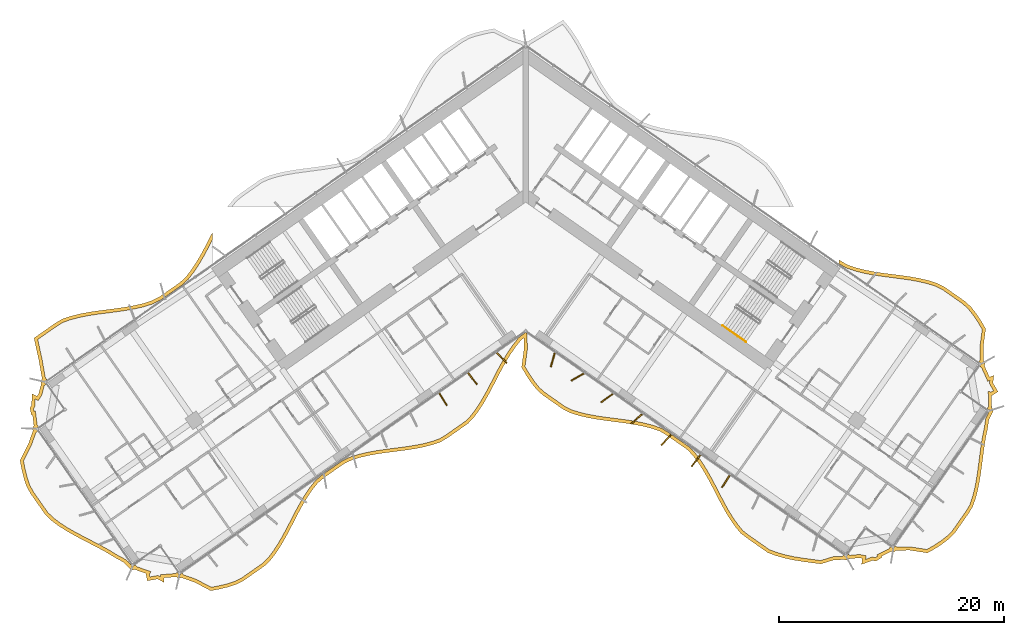
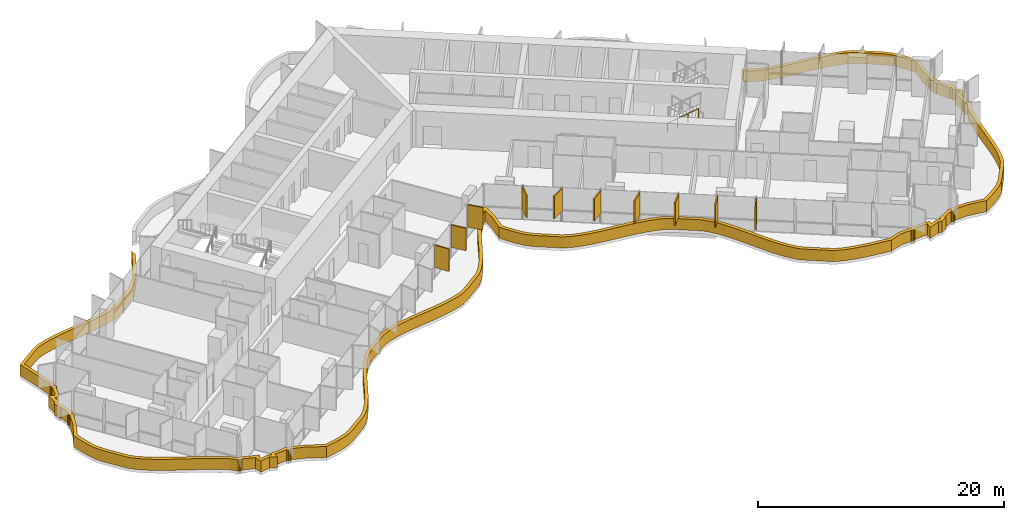
# One storey, part 20 of 23: 11 shading devices, 1 railing.
"""IFC4 building model written with IfcOpenShell, lengths in metres."""

import ifcopenshell
import ifcopenshell.guid

model = None  # the IFC model being written
_history = None  # IfcOwnerHistory: only IFC2X3 demands one
_inside = {}  # id of a spatial element -> (the spatial element, [elements in it])
_under = {}  # id of a project, library or spatial element -> (it, [spatial elements below it])
_declared = {}  # id of a project -> (the project, [libraries it declares])
_typed = {}  # id of a type object -> (the type object, [elements of that type])
_made_of = {}  # id of a material, layer set ... -> (it, [elements and type objects made of it])


def new_model(schema):
    """Start an empty IFC model of exactly this schema.

    Asked for "IFC4X3", IfcOpenShell would pick the latest addendum, in which some entities
    have other attributes; the version numbers below select the first issue.
    IFC2X3 requires an IfcOwnerHistory on every rooted entity: one is made here for all.
    """
    global model, _history
    if schema == "IFC4X3":
        model = ifcopenshell.file(schema_version=(4, 3, 0, 0))
    else:
        model = ifcopenshell.file(schema=schema)
    _inside.clear()
    _under.clear()
    _declared.clear()
    _typed.clear()
    _made_of.clear()
    _history = None
    if model.schema == "IFC2X3":
        org = make("IfcOrganization", Name="unknown")
        user = make(
            "IfcPersonAndOrganization",
            ThePerson=make("IfcPerson", FamilyName="unknown"),
            TheOrganization=org,
        )
        app = make(
            "IfcApplication",
            ApplicationDeveloper=org,
            Version="unknown",
            ApplicationFullName="unknown",
            ApplicationIdentifier="unknown",
        )
        _history = make(
            "IfcOwnerHistory",
            OwningUser=user,
            OwningApplication=app,
            ChangeAction="ADDED",
            CreationDate=0,
        )
    return model


def make(cls, **values):
    """One entity of the class cls with the attributes given. An attribute that is None is left unset."""
    return model.create_entity(
        cls, **{name: value for name, value in values.items() if value is not None}
    )


def rooted(cls, **values):
    """An entity with a GlobalId (a new one), such as an element, a storey or a relation."""
    return make(cls, GlobalId=ifcopenshell.guid.new(), OwnerHistory=_history, **values)


def si_unit(unit_type, name, prefix=None):
    """IfcSIUnit, for example si_unit("LENGTHUNIT", "METRE", prefix="MILLI")."""
    return make("IfcSIUnit", UnitType=unit_type, Prefix=prefix, Name=name)


def assignment(units):
    """IfcUnitAssignment: the units of a project."""
    return None if units is None else make("IfcUnitAssignment", Units=units)


def point(xyz):
    """IfcCartesianPoint."""
    return None if xyz is None else make("IfcCartesianPoint", Coordinates=xyz)


def direction(xyz):
    """IfcDirection."""
    return None if xyz is None else make("IfcDirection", DirectionRatios=xyz)


def frame(location, z_axis=None, x_axis=None):
    """IfcAxis2Placement3D, a coordinate frame: its origin and axes. An axis left out is left unset."""
    return make(
        "IfcAxis2Placement3D",
        Location=point(location),
        Axis=direction(z_axis),
        RefDirection=direction(x_axis),
    )


def frame_2d(location, x_axis=None):
    """IfcAxis2Placement2D, a coordinate frame in the plane: its origin and x axis."""
    return make(
        "IfcAxis2Placement2D", Location=point(location), RefDirection=direction(x_axis)
    )


def origin():
    """The frame at (0, 0, 0) with its axes left unset."""
    return frame((0.0, 0.0, 0.0))


def origin_2d():
    """The frame at (0, 0) in the plane with its x axis left unset."""
    return frame_2d((0.0, 0.0))


def place(relative_to, where):
    """IfcLocalPlacement: puts the frame where relative to a parent placement (None: the world)."""
    return make(
        "IfcLocalPlacement", PlacementRelTo=relative_to, RelativePlacement=where
    )


def context(
    kind, dimensions, precision=None, world=None, true_north=None, identifier=None
):
    """IfcGeometricRepresentationContext, for example the 3D "Model" context."""
    return make(
        "IfcGeometricRepresentationContext",
        ContextIdentifier=identifier,
        ContextType=kind,
        CoordinateSpaceDimension=dimensions,
        Precision=precision,
        WorldCoordinateSystem=world,
        TrueNorth=true_north,
    )


def subcontext(parent, identifier, kind, view, scale=None):
    """IfcGeometricRepresentationSubContext, for example "Body" below "Model"."""
    return make(
        "IfcGeometricRepresentationSubContext",
        ContextIdentifier=identifier,
        ContextType=kind,
        ParentContext=parent,
        TargetScale=scale,
        TargetView=view,
    )


def project(units=None, contexts=None):
    """IfcProject with its units and contexts."""
    return rooted(
        "IfcProject",
        Name="project",
        RepresentationContexts=contexts,
        UnitsInContext=assignment(units),
    )


def spatial(cls, under=None, at=None, **own):
    """A site, building, storey or space (cls), placed at a placement, below another one or the project."""
    s = rooted(cls, ObjectPlacement=at, **own)
    if under is not None:
        _under.setdefault(under.id(), (under, []))[1].append(s)
    return s


def polyline(points):
    """IfcPolyline through the points."""
    return make("IfcPolyline", Points=[point(p) for p in points])


def profile(cls, at=None, kind="AREA", **sizes):
    """A parametric profile (cls). Its sizes go by their IFC names, for example OverallWidth=200.0."""
    return make(cls, ProfileType=kind, Position=at, **sizes)


def rectangle(**sizes):
    """IfcRectangleProfileDef."""
    return profile("IfcRectangleProfileDef", **sizes)


def circle(**sizes):
    """IfcCircleProfileDef."""
    return profile("IfcCircleProfileDef", **sizes)


def outline(outer, holes=None, kind="AREA"):
    """IfcArbitraryClosedProfileDef: a profile drawn as a closed curve; with holes, ...WithVoids."""
    if holes is None:
        return make("IfcArbitraryClosedProfileDef", ProfileType=kind, OuterCurve=outer)
    return make(
        "IfcArbitraryProfileDefWithVoids",
        ProfileType=kind,
        OuterCurve=outer,
        InnerCurves=holes,
    )


def extrude(swept, where, along, depth):
    """IfcExtrudedAreaSolid: the profile swept, set in the frame where, extruded along a direction by depth."""
    return make(
        "IfcExtrudedAreaSolid",
        SweptArea=swept,
        Position=where,
        ExtrudedDirection=direction(along),
        Depth=depth,
    )


def shape(context_of_items, identifier, shape_type, items):
    """IfcShapeRepresentation: the items that make up one representation, for example the "Body"."""
    return make(
        "IfcShapeRepresentation",
        ContextOfItems=context_of_items,
        RepresentationIdentifier=identifier,
        RepresentationType=shape_type,
        Items=items,
    )


def material(Name=None, Category=None):
    """IfcMaterial."""
    return make("IfcMaterial", Name=Name, Category=Category)


def layer(
    of_material, thickness, ventilated=None, Name=None, Category=None, Priority=None
):
    """IfcMaterialLayer: one layer of a wall or slab, of a material (None: an air gap)."""
    return make(
        "IfcMaterialLayer",
        Material=of_material,
        LayerThickness=thickness,
        IsVentilated=ventilated,
        Name=Name,
        Category=Category,
        Priority=Priority,
    )


def layer_set(layers, Name=None):
    """IfcMaterialLayerSet."""
    return make("IfcMaterialLayerSet", MaterialLayers=layers, LayerSetName=Name)


def made_of(thing, what):
    """Note that an element or type object is made of a material, layer set ...; save() writes the relation."""
    if what is not None:
        _made_of.setdefault(what.id(), (what, []))[1].append(thing)
    return thing


def type_object(cls, material=None, **own):
    """A type object (cls), such as IfcWallType, which elements share."""
    return made_of(rooted(cls, **own), material)


def element(
    cls,
    number,
    at=None,
    inside=None,
    cuts=None,
    type_object=None,
    material=None,
    context=None,
    identifier="Body",
    shape_type=None,
    held_by="IfcProductDefinitionShape",
    body=None,
    shapes=None,
    **own,
):
    """One element of the class cls, such as IfcWall. Its Tag is "e" and its number.

    at: its placement. inside: the storey or other place that contains it. cuts: it is an
    opening in that element (IfcRelVoidsElement). A single representation is given by context,
    identifier, shape_type and body (its items); several are given by shapes. held_by: the class
    of the entity that holds the representations. save() writes the other relations.
    """
    e = rooted(cls, Tag="e%d" % number, ObjectPlacement=at, **own)
    if body is not None:
        shapes = [shape(context, identifier, shape_type, body)]
    if shapes is not None:
        e.Representation = make(held_by, Representations=shapes)
    if inside is not None:
        _inside.setdefault(inside.id(), (inside, []))[1].append(e)
    if cuts is not None:
        rooted(
            "IfcRelVoidsElement", RelatingBuildingElement=cuts, RelatedOpeningElement=e
        )
    if type_object is not None:
        _typed.setdefault(type_object.id(), (type_object, []))[1].append(e)
    return made_of(e, material)


def aggregate(whole, parts):
    """IfcRelAggregates: a whole, such as a stair, and the parts it consists of."""
    return rooted("IfcRelAggregates", RelatingObject=whole, RelatedObjects=parts)


def save(model, path):
    """Write the relations noted so far, then the file.

    IfcRelAggregates (storeys below a building ...), IfcRelContainedInSpatialStructure (elements
    in a storey), IfcRelDefinesByType, IfcRelAssociatesMaterial and IfcRelDeclares: one each for
    every whole, place, type object, material and project.
    """
    for whole, parts in _under.values():
        aggregate(whole, parts)
    for where, things in _inside.values():
        rooted(
            "IfcRelContainedInSpatialStructure",
            RelatedElements=things,
            RelatingStructure=where,
        )
    for kind, things in _typed.values():
        rooted("IfcRelDefinesByType", RelatedObjects=things, RelatingType=kind)
    for what, things in _made_of.values():
        rooted("IfcRelAssociatesMaterial", RelatedObjects=things, RelatingMaterial=what)
    for by, libraries in _declared.values():
        rooted("IfcRelDeclares", RelatingContext=by, RelatedDefinitions=libraries)
    model.write(path)


model = new_model("IFC4")

# Units and contexts
model_context = context("Model", 3, precision=1e-05, world=origin(), true_north=direction((0.0, 1.0)))
body_context = subcontext(model_context, "Body", "Model", "MODEL_VIEW")
ifc_project = project(units=[si_unit("LENGTHUNIT", "METRE"), si_unit("AREAUNIT", "SQUARE_METRE"), si_unit("VOLUMEUNIT", "CUBIC_METRE"), si_unit("PLANEANGLEUNIT", "RADIAN"), si_unit("MASSUNIT", "GRAM", prefix="KILO")], contexts=[model_context])

# Site, building, storey
site_placement = place(None, origin())
site = spatial("IfcSite", under=ifc_project, at=site_placement, CompositionType="ELEMENT")
building_placement = place(site_placement, origin())
building = spatial("IfcBuilding", under=site, at=building_placement, Name="Tel Ilan Convention Tower", CompositionType="ELEMENT")
storey_placement = place(building_placement, frame((0.0, 0.0, 79.699951171875)))
storey = spatial("IfcBuildingStorey", under=building, at=storey_placement, Name="L15", CompositionType="ELEMENT", Elevation=79.699951171875)

# Shading devices
ifc_material_1 = material(Name="Aluminium, bronze anodised", Category="aluminium")
ifc_layer_1 = layer(ifc_material_1, 0.1201171875)
ifc_layer_set_1 = layer_set([ifc_layer_1], Name="FIN BRONZE 1300x120")
shading_device_type_1 = type_object("IfcShadingDeviceType", Name="FIN BRONZE 1300x120", PredefinedType="USERDEFINED", material=ifc_layer_set_1)
for number, where, z_axis, x_axis, name in (
    (1, (-7.36181640625, -18.7685546875, 1.10009765625), (0.0, 0.0, 1.0), (0.533204432798, -0.845986425922, 0.0), "FIN"),
    (2, (-4.740234375, -16.932861328125, 1.10009765625), (0.0, 0.0, 1.0), (0.612600545196, -0.790392669516, 0.0), "FIN"),
    (3, (-2.119140625, -15.09716796875, 1.10009765625), (0.0, 0.0, 1.0), (0.686241637865, -0.727373641577, 0.0), "FIN"),
    (4, (2.40966796875, -15.27734375, 1.10009765625), (0.0, 0.0, 1.0), (-0.268172612768, -0.963370878614, 0.0), "FIN"),
    (5, (4.613037109375, -16.797607421875, 1.10009765625), (0.0, 0.0, 1.0), (-0.866025403784, -0.5, 0.0), "FIN"),
    (6, (7.2451171875, -18.663330078125, 1.10009765625), (0.0, 0.0, 1.0), (-0.813552070258, -0.581492071294, 0.0), "FIN"),
    (7, (9.882568359375, -20.525146484375, 1.10009765625), (0.0, 0.0, 1.0), (-0.753435896329, -0.657521368568, 0.0), "FIN"),
    (8, (12.524658203125, -22.383056640625, 1.10009765625), (0.0, 0.0, 1.0), (-0.686241637865, -0.727373641577, 0.0), "FIN"),
    (9, (15.1708984375, -24.236328125, 1.10009765625), (0.0, 0.0, 1.0), (-0.612600545196, -0.790392669516, 0.0), "FIN"),
    (10, (17.8173828125, -26.089599609375, 1.10009765625), (0.0, 0.0, 1.0), (-0.533204432798, -0.845986425922, 0.0), "FIN"),
):
    element("IfcShadingDevice", number, at=place(storey_placement, frame(where, z_axis=z_axis, x_axis=x_axis)), inside=storey, type_object=shading_device_type_1, Name=name, ObjectType="FIN", PredefinedType="USERDEFINED", context=body_context, shape_type="SweptSolid", body=[
        extrude(rectangle(XDim=1.300048828125, YDim=0.1201171875, at=origin_2d()), origin(), (0.0, 0.0, 1.0), 2.219970703125),
    ])
ifc_material_2 = material(Name="Aluminium, bronze anodised", Category="aluminium")
ifc_layer_2 = layer(ifc_material_2, 0.300048828125)
ifc_layer_set_2 = layer_set([ifc_layer_2], Name="LOUVRE BAND 300x1100")
shading_device_type_2 = type_object("IfcShadingDeviceType", Name="LOUVRE BAND 300x1100", PredefinedType="USERDEFINED", material=ifc_layer_set_2)
shading_device_placement = place(storey_placement, origin())
element("IfcShadingDevice", 11, at=shading_device_placement, inside=storey, type_object=shading_device_type_2, Name="LOUVRE BAND 15.01", ObjectType="LOUVRE", PredefinedType="USERDEFINED", context=body_context, shape_type="SweptSolid", body=[
    extrude(outline(polyline([(-44.2939453125, -22.77490234375), (-45.028564453125, -24.204833984375), (-44.876953125, -25.01416015625), (-44.68408203125, -25.794677734375), (-44.4384765625, -26.538330078125), (-44.07080078125, -27.196533203125), (-42.7802734375, -29.03955078125), (-42.232421875, -29.571533203125), (-41.598876953125, -30.04345703125), (-40.91650390625, -30.481201171875), (-40.196533203125, -30.892822265625), (-39.45263671875, -31.287353515625), (-37.949462890625, -32.066162109375), (-37.219970703125, -32.470947265625), (-36.523681640625, -32.89892578125), (-35.783203125, -33.2958984375), (-35.26318359375, -33.847412109375), (-35.258544921875, -33.843994140625), (-35.2294921875, -33.887451171875), (-35.13232421875, -33.952392578125), (-35.017578125, -33.975341796875), (-34.902587890625, -33.952392578125), (-34.8486328125, -33.91650390625), (-33.810546875, -34.284912109375), (-33.821533203125, -34.302734375), (-33.688720703125, -34.9423828125), (-32.80029296875, -34.774658203125), (-32.20068359375, -35.082763671875), (-32.199462890625, -34.66796875), (-31.080322265625, -34.580810546875), (-31.051513671875, -34.624267578125), (-30.9541015625, -34.689208984375), (-30.83935546875, -34.7119140625), (-30.724365234375, -34.689208984375), (-30.67041015625, -34.653076171875), (-29.47802734375, -35.069091796875), (-28.049560546875, -35.822265625), (-27.250732421875, -35.676025390625), (-26.48095703125, -35.488525390625), (-25.74609375, -35.2509765625), (-25.0888671875, -34.90234375), (-23.27490234375, -33.63232421875), (-22.733642578125, -33.117919921875), (-22.262939453125, -32.50341796875), (-21.826416015625, -31.839599609375), (-21.4169921875, -31.13720703125), (-21.026123046875, -30.408935546875), (-20.2607421875, -28.927978515625), (-19.86669921875, -28.20361328125), (-19.45263671875, -27.5078125), (-19.010009765625, -26.85302734375), (-18.53173828125, -26.249267578125), (-17.96875, -25.76611328125), (-16.154541015625, -24.495849609375), (-15.474853515625, -24.1796875), (-14.732666015625, -23.952880859375), (-13.95654296875, -23.774169921875), (-13.154296875, -23.6328125), (-12.334716796875, -23.516357421875), (-10.681640625, -23.30322265625), (-9.86767578125, -23.178466796875), (-9.074951171875, -23.023681640625), (-8.3115234375, -22.8271484375), (-7.584228515625, -22.57861328125), (-6.9482421875, -22.2001953125), (-5.134033203125, -20.929931640625), (-4.616455078125, -20.38232421875), (-4.15283203125, -19.75732421875), (-3.722412109375, -19.0849609375), (-3.3173828125, -18.37646484375), (-2.9287109375, -17.644287109375), (-2.16259765625, -16.16455078125), (-1.765380859375, -15.44482421875), (-1.346435546875, -14.75634765625), (-0.897216796875, -14.110595703125), (-0.422119140625, -13.502197265625), (-0.16845703125, -13.315185546875), (-0.153564453125, -14.330078125), (-0.367919921875, -15.928955078125), (0.045166015625, -16.631591796875), (0.487060546875, -17.29296875), (0.964599609375, -17.90380859375), (1.52197265625, -18.400634765625), (3.343994140625, -19.676513671875), (4.02001953125, -20.003662109375), (4.763427734375, -20.234375), (5.54150390625, -20.416015625), (6.34619140625, -20.559326171875), (7.1689453125, -20.67724609375), (8.829345703125, -20.89111328125), (9.647216796875, -21.015625), (10.444091796875, -21.17041015625), (11.211669921875, -21.366943359375), (11.9423828125, -21.61572265625), (12.582275390625, -21.99462890625), (14.404541015625, -23.2705078125), (14.92333984375, -23.822021484375), (15.388427734375, -24.450439453125), (15.8203125, -25.12646484375), (16.2265625, -25.8388671875), (16.61669921875, -26.574462890625), (17.38623046875, -28.060546875), (17.785888671875, -28.782470703125), (18.2080078125, -29.47216796875), (18.660888671875, -30.1181640625), (19.1513671875, -30.71044921875), (19.742431640625, -31.158935546875), (21.564697265625, -32.4345703125), (22.281005859375, -32.7041015625), (23.03662109375, -32.917724609375), (23.824462890625, -33.08544921875), (24.635986328125, -33.218994140625), (26.29443359375, -33.435546875), (27.448974609375, -33.079345703125), (28.376953125, -33.047119140625), (28.430908203125, -33.083251953125), (28.545654296875, -33.10595703125), (28.660400390625, -33.083251953125), (28.7578125, -33.01806640625), (28.786865234375, -32.974853515625), (29.716796875, -32.8935546875), (29.97412109375, -32.9453125), (29.9072265625, -33.476806640625), (30.8779296875, -33.126708984375), (31.183837890625, -33.188232421875), (31.7392578125, -32.8447265625), (31.685546875, -32.75439453125), (32.554931640625, -32.310302734375), (32.609130859375, -32.346435546875), (32.723876953125, -32.369384765625), (32.838623046875, -32.346435546875), (32.93603515625, -32.281494140625), (32.96484375, -32.238037109375), (34.16845703125, -32.208740234375), (35.769775390625, -32.4580078125), (36.4619140625, -32.07080078125), (37.104736328125, -31.64892578125), (37.701904296875, -31.195068359375), (38.212890625, -30.680908203125), (39.44189453125, -28.925537109375), (39.810791015625, -28.311767578125), (40.0537109375, -27.60986328125), (40.247314453125, -26.87353515625), (40.40087890625, -26.109130859375), (40.52490234375, -25.323974609375), (40.841064453125, -22.929443359375), (40.969970703125, -22.147705078125), (41.12841796875, -21.386474609375), (41.24267578125, -20.594482421875), (41.568603515625, -19.963134765625), (41.568603515625, -19.950927734375), (41.604736328125, -19.896728515625), (41.62744140625, -19.781982421875), (41.604736328125, -19.667236328125), (41.53955078125, -19.56982421875), (41.496337890625, -19.541015625), (41.487548828125, -18.439453125), (41.508056640625, -18.443603515625), (42.063720703125, -18.10009765625), (41.602294921875, -17.322509765625), (41.686767578125, -16.65380859375), (41.29638671875, -16.79443359375), (40.831787109375, -15.772705078125), (40.867919921875, -15.71875), (40.890869140625, -15.603759765625), (40.867919921875, -15.489013671875), (40.802978515625, -15.3916015625), (40.759521484375, -15.36279296875), (40.743408203125, -14.096435546875), (40.96044921875, -12.496826171875), (40.548828125, -11.795654296875), (40.108154296875, -11.13525390625), (39.63232421875, -10.525390625), (39.078125, -10.02783203125), (37.260498046875, -8.755126953125), (36.5888671875, -8.4248046875), (35.84814453125, -8.193115234375), (35.072998046875, -8.0107421875), (34.27099609375, -7.86669921875), (33.450927734375, -7.748779296875), (31.79443359375, -7.535400390625), (30.97802734375, -7.412109375), (30.181884765625, -7.259521484375), (29.414794921875, -7.0654296875), (28.68408203125, -6.820068359375), (28.040283203125, -6.44970703125), (27.874755859375, -6.333740234375), (27.874755859375, -6.70068359375), (28.560302734375, -7.094970703125), (29.330322265625, -7.353515625), (30.116943359375, -7.552490234375), (30.92724609375, -7.707763671875), (31.752685546875, -7.83251953125), (33.41064453125, -8.0458984375), (34.22314453125, -8.162841796875), (35.01220703125, -8.3046875), (35.76904296875, -8.482666015625), (36.477294921875, -8.7041015625), (37.107421875, -9.01416015625), (38.89111328125, -10.26318359375), (39.412109375, -10.73095703125), (39.86474609375, -11.31103515625), (40.29443359375, -11.954833984375), (40.649169921875, -12.559326171875), (40.443115234375, -14.07861328125), (40.46142578125, -15.265625), (40.344970703125, -15.431640625), (40.5908203125, -15.603759765625), (40.41943359375, -15.85009765625), (40.596923828125, -15.974365234375), (41.13720703125, -17.1708984375), (41.327880859375, -17.10205078125), (41.291748046875, -17.38720703125), (41.6552734375, -17.999755859375), (41.451171875, -18.1259765625), (41.18359375, -18.072265625), (41.198486328125, -19.443115234375), (41.081787109375, -19.60986328125), (41.327392578125, -19.781982421875), (41.156005859375, -20.0283203125), (41.186279296875, -20.04931640625), (40.952880859375, -20.501708984375), (40.832763671875, -21.33447265625), (40.675048828125, -22.0927734375), (40.54443359375, -22.884521484375), (40.22802734375, -25.28076171875), (40.10546875, -26.05615234375), (39.955078125, -26.8056640625), (39.766357421875, -27.5224609375), (39.53759765625, -28.18408203125), (39.190185546875, -28.761962890625), (37.98193359375, -30.48779296875), (37.50390625, -30.96875), (36.931640625, -31.40380859375), (36.30615234375, -31.814208984375), (35.713623046875, -32.145751953125), (34.1875, -31.908203125), (33.060546875, -31.938720703125), (32.89599609375, -31.823486328125), (32.723876953125, -32.0693359375), (32.4775390625, -31.89794921875), (32.34912109375, -32.08154296875), (31.26416015625, -32.6318359375), (31.3310546875, -32.74462890625), (31.126708984375, -32.870849609375), (30.854736328125, -32.816162109375), (30.26611328125, -33.028564453125), (30.306884765625, -32.7060546875), (29.73291015625, -32.5908203125), (28.87353515625, -32.66943359375), (28.7177734375, -32.560302734375), (28.545654296875, -32.805908203125), (28.299560546875, -32.634521484375), (28.214111328125, -32.75634765625), (27.3994140625, -32.78076171875), (26.267822265625, -33.1298828125), (24.6806640625, -32.922119140625), (23.8798828125, -32.79052734375), (23.10888671875, -32.626220703125), (22.374755859375, -32.4189453125), (21.70556640625, -32.167236328125), (19.919189453125, -30.91650390625), (19.3603515625, -30.492431640625), (18.899658203125, -29.936279296875), (18.459228515625, -29.3076171875), (18.04541015625, -28.63134765625), (17.650634765625, -27.91845703125), (16.882568359375, -26.435791015625), (16.489501953125, -25.694091796875), (16.0771484375, -24.97119140625), (15.6357421875, -24.2802734375), (15.154052734375, -23.629150390625), (14.601806640625, -23.04248046875), (12.7451171875, -21.742431640625), (12.068603515625, -21.341796875), (11.29736328125, -21.0791015625), (10.510009765625, -20.87744140625), (9.698486328125, -20.719970703125), (8.871337890625, -20.593994140625), (7.209228515625, -20.3798828125), (6.393798828125, -20.26318359375), (5.60205078125, -20.1220703125), (4.84228515625, -19.94482421875), (4.13037109375, -19.723876953125), (3.496337890625, -19.4169921875), (1.70849609375, -18.1650390625), (1.184326171875, -17.697998046875), (0.73046875, -17.1171875), (0.299560546875, -16.471923828125), (-0.056884765625, -15.8662109375), (0.146728515625, -14.347900390625), (0.125732421875, -12.906005859375), (0.0, -12.818115234375), (-0.63330078125, -13.285400390625), (-1.138916015625, -13.9326171875), (-1.597900390625, -14.592529296875), (-2.025146484375, -15.294189453125), (-2.427001953125, -16.022705078125), (-3.19482421875, -17.50537109375), (-3.580078125, -18.231689453125), (-3.979248046875, -18.929443359375), (-4.39990234375, -19.5869140625), (-4.8466796875, -20.189208984375), (-5.3310546875, -20.70166015625), (-7.111083984375, -21.947998046875), (-7.7109375, -22.304931640625), (-8.3974609375, -22.53955078125), (-9.14111328125, -22.73095703125), (-9.919189453125, -22.8828125), (-10.723876953125, -23.006103515625), (-12.374755859375, -23.218994140625), (-13.201416015625, -23.33642578125), (-14.016357421875, -23.47998046875), (-14.810302734375, -23.662841796875), (-15.58251953125, -23.89892578125), (-16.30517578125, -24.235107421875), (-17.843017578125, -25.31201171875), (-18.15283203125, -25.52880859375), (-18.748779296875, -26.040283203125), (-19.252197265625, -26.675537109375), (-19.7060546875, -27.346923828125), (-20.12744140625, -28.05517578125), (-20.525634765625, -28.787109375), (-21.29150390625, -30.26904296875), (-21.678955078125, -30.99072265625), (-22.08154296875, -31.681640625), (-22.507568359375, -32.32958984375), (-22.95751953125, -32.916748046875), (-23.46533203125, -33.3994140625), (-25.245849609375, -34.64599609375), (-25.86328125, -34.9736328125), (-26.5625, -35.19970703125), (-27.313232421875, -35.38232421875), (-28.00146484375, -35.508544921875), (-29.3583984375, -34.79296875), (-30.477294921875, -34.406005859375), (-30.593017578125, -34.24072265625), (-30.83935546875, -34.412109375), (-31.011474609375, -34.166259765625), (-31.189697265625, -34.291015625), (-32.498779296875, -34.3896484375), (-32.499267578125, -34.59228515625), (-32.7548828125, -34.4609375), (-33.454833984375, -34.593017578125), (-33.503662109375, -34.35791015625), (-33.361572265625, -34.124755859375), (-34.655029296875, -33.669921875), (-34.771240234375, -33.50390625), (-35.017578125, -33.67529296875), (-35.189453125, -33.429443359375), (-35.222900390625, -33.452880859375), (-35.598388671875, -33.054443359375), (-36.374267578125, -32.638671875), (-37.068603515625, -32.211669921875), (-37.807373046875, -31.802001953125), (-39.313720703125, -31.021240234375), (-40.052001953125, -30.6298828125), (-40.760986328125, -30.224609375), (-41.42822265625, -29.796630859375), (-42.03759765625, -29.342529296875), (-42.551025390625, -28.84423828125), (-43.81640625, -27.036865234375), (-44.16259765625, -26.4169921875), (-44.3955078125, -25.71142578125), (-44.583740234375, -24.950439453125), (-44.71484375, -24.25048828125), (-44.017822265625, -22.8935546875), (-43.61572265625, -21.75048828125), (-43.44970703125, -21.63427734375), (-43.62109375, -21.387939453125), (-43.37548828125, -21.216064453125), (-43.50439453125, -21.03173828125), (-43.650390625, -19.823974609375), (-43.779296875, -19.84814453125), (-43.828125, -19.613037109375), (-43.683837890625, -19.376220703125), (-43.681884765625, -18.75048828125), (-43.392822265625, -18.89892578125), (-43.088134765625, -18.399169921875), (-42.8681640625, -17.564697265625), (-42.712890625, -17.4560546875), (-42.88427734375, -17.2099609375), (-42.638671875, -17.037841796875), (-42.772705078125, -16.846435546875), (-43.07080078125, -15.1611328125), (-43.445556640625, -13.4521484375), (-41.779296875, -12.285400390625), (-41.1748046875, -11.917724609375), (-40.481201171875, -11.678466796875), (-39.728515625, -11.483642578125), (-38.940185546875, -11.32958984375), (-38.125, -11.204833984375), (-36.4521484375, -10.9892578125), (-35.61474609375, -10.869140625), (-34.790283203125, -10.7216796875), (-33.988037109375, -10.532958984375), (-33.2060546875, -10.2880859375), (-32.48779296875, -9.93017578125), (-30.61474609375, -8.61865234375), (-30.02783203125, -8.073974609375), (-29.527587890625, -7.424560546875), (-29.074462890625, -6.73681640625), (-28.652587890625, -6.013916015625), (-28.2529296875, -5.268798828125), (-27.874755859375, -4.535400390625), (-27.874755859375, -3.883544921875), (-28.518310546875, -5.129150390625), (-28.91455078125, -5.8671875), (-29.329345703125, -6.57861328125), (-29.772216796875, -7.250244140625), (-30.250244140625, -7.87109375), (-30.8037109375, -8.384765625), (-32.6416015625, -9.671630859375), (-33.318603515625, -10.0087890625), (-34.067138671875, -10.243408203125), (-34.85107421875, -10.427734375), (-35.66259765625, -10.572998046875), (-36.4921875, -10.69189453125), (-38.167236328125, -10.90771484375), (-38.99169921875, -11.033935546875), (-39.794921875, -11.19091796875), (-40.56787109375, -11.390869140625), (-41.30322265625, -11.64453125), (-41.943359375, -12.0341796875), (-43.78125, -13.321044921875), (-43.364990234375, -15.219482421875), (-43.05322265625, -16.96875), (-43.096435546875, -16.997802734375), (-43.16162109375, -17.094970703125), (-43.184326171875, -17.2099609375), (-43.16162109375, -17.32470703125), (-43.12548828125, -17.378662109375), (-43.3671875, -18.2802734375), (-43.50390625, -18.504638671875), (-43.98046875, -18.259765625), (-43.9833984375, -19.291748046875), (-44.14599609375, -19.55810546875), (-44.01318359375, -20.197509765625), (-43.90966796875, -20.177978515625), (-43.7900390625, -21.14697265625), (-43.833251953125, -21.17578125), (-43.898193359375, -21.273193359375), (-43.921142578125, -21.387939453125), (-43.898193359375, -21.5029296875), (-43.8623046875, -21.556884765625), (-44.2939453125, -22.77490234375)])), origin(), (0.0, 0.0, 1.0), 1.10009765625),
])

# Railing
ifc_material_3 = material(Name="Stainless Steel Grade 316", Category="steel")
railing_type = type_object("IfcRailingType", Name="Stainless Steel Stair Handrail 900 mm", PredefinedType="HANDRAIL", material=ifc_material_3)
railing_placement = place(storey_placement, frame((17.542236328125, -12.22216796875, 1.97998046875)))
element("IfcRailing", 12, at=railing_placement, inside=storey, type_object=railing_type, Name="L15 S4 stair handrail 2", PredefinedType="HANDRAIL", context=body_context, shape_type="SweptSolid", body=[
    extrude(circle(Radius=0.02392578125, at=origin_2d()), frame((0.0, 0.0, 0.8759765625), z_axis=(0.689040105437, -0.482450316285, 0.54080072616), x_axis=(0.573559875649, 0.819163639968, 0.0)), (0.0, 0.0, 1.0), 2.995849609375),
    extrude(circle(Radius=0.02099609375, at=origin_2d()), origin(), (0.0, 0.0, 1.0), 0.851806640625),
    extrude(circle(Radius=0.02099609375, at=origin_2d()), frame((0.68798828125, -0.481689453125, 0.5400390625)), (0.0, 0.0, 1.0), 0.851806640625),
    extrude(circle(Radius=0.02099609375, at=origin_2d()), frame((1.376220703125, -0.963623046875, 1.080078125)), (0.0, 0.0, 1.0), 0.851806640625),
    extrude(circle(Radius=0.02099609375, at=origin_2d()), frame((2.064208984375, -1.4453125, 1.6201171875)), (0.0, 0.0, 1.0), 0.851806640625),
])

save(model, "model.ifc")
